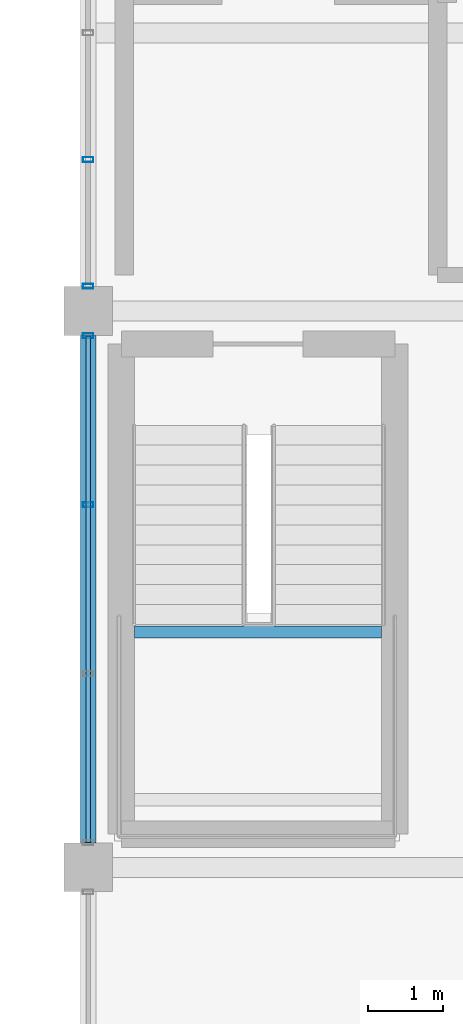
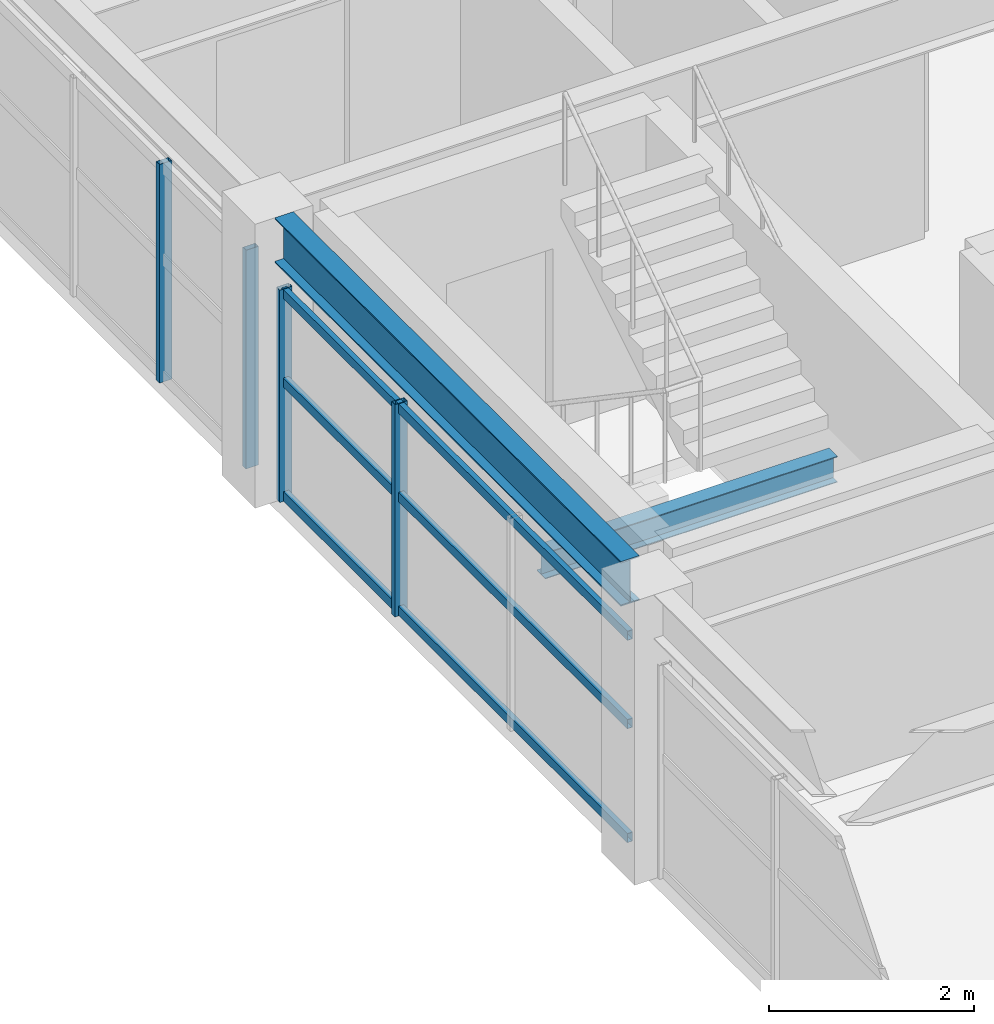
# One storey, part 45 of 93: 7 members, 2 beams, 2 elements without a shape of their own.
"""IFC4 building model written with IfcOpenShell, lengths in metres."""

from ifc_helpers import new_model, si_unit, direction, frame, origin, origin_2d, place, context, subcontext, project, spatial, hollow_rectangle, i_section, extrude, material, material_profile, profile_set, type_object, element, aggregate, save


model = new_model("IFC4")

# Units and contexts
model_context = context("Model", 3, precision=1e-05, world=origin(), true_north=direction((0.0, 1.0)))
body_context = subcontext(model_context, "Body", "Model", "MODEL_VIEW")
ifc_project = project(units=[si_unit("LENGTHUNIT", "METRE"), si_unit("AREAUNIT", "SQUARE_METRE"), si_unit("VOLUMEUNIT", "CUBIC_METRE"), si_unit("PLANEANGLEUNIT", "RADIAN"), si_unit("MASSUNIT", "GRAM", prefix="KILO")], contexts=[model_context])

# Site, building, storey
site_placement = place(None, origin())
site = spatial("IfcSite", under=ifc_project, at=site_placement, CompositionType="ELEMENT")
building_placement = place(site_placement, origin())
building = spatial("IfcBuilding", under=site, at=building_placement, Name="Cimatlan Art Gallery", CompositionType="ELEMENT")
storey_placement = place(building_placement, frame((0.0, 0.0, 13.800048828125)))
storey = spatial("IfcBuildingStorey", under=building, at=storey_placement, Name="L03", CompositionType="ELEMENT", Elevation=13.800048828125)

# Beams
ifc_material_1 = material(Name="Steel ASTM A992 Grade 50", Category="steel")
ifc_material_profile_1 = material_profile(ifc_material_1, i_section(OverallWidth=0.1650390625, OverallDepth=0.31005859375, WebThickness=0.005859375, FlangeThickness=0.009765625, at=origin_2d()), Name="W12X26")
ifc_profile_set_1 = profile_set([ifc_material_profile_1], Name="Steel ASTM A992 Grade 50")
beam_type_1 = type_object("IfcBeamType", Name="BM-STL-W12X26", PredefinedType="JOIST", material=ifc_profile_set_1)
beam_1_placement = place(storey_placement, frame((75.514892578125, 64.030029296875, 1.425048828125), z_axis=(1.0, 0.0, 0.0), x_axis=(0.0, 1.0, 0.0)))
element("IfcBeam", 1, at=beam_1_placement, inside=storey, type_object=beam_type_1, Name="BM-STR-C6-L03-LH2", PredefinedType="JOIST", context=body_context, shape_type="SweptSolid", body=[
    extrude(i_section(OverallWidth=0.1650390625, OverallDepth=0.31005859375, WebThickness=0.005859375, FlangeThickness=0.009765625, at=origin_2d()), origin(), (0.0, 0.0, 1.0), 3.2900390625),
])
ifc_material_profile_2 = material_profile(ifc_material_1, i_section(OverallWidth=0.2099609375, OverallDepth=0.532958984375, WebThickness=0.01025390625, FlangeThickness=0.015625, at=origin_2d()), Name="W21X62")
ifc_profile_set_2 = profile_set([ifc_material_profile_2], Name="Steel ASTM A992 Grade 50")
beam_type_2 = type_object("IfcBeamType", Name="BM-STL-W21X62", PredefinedType="BEAM", material=ifc_profile_set_2)
beam_2_placement = place(storey_placement, frame((74.89990234375, 61.22509765625, 3.113525390625), z_axis=(0.0, 1.0, 0.0), x_axis=(-1.0, 0.0, 0.0)))
element("IfcBeam", 2, at=beam_2_placement, inside=storey, type_object=beam_type_2, Name="BM-Y-L03-09-08", PredefinedType="BEAM", context=body_context, shape_type="SweptSolid", body=[
    extrude(i_section(OverallWidth=0.2099609375, OverallDepth=0.532958984375, WebThickness=0.01025390625, FlangeThickness=0.015625, at=origin_2d()), origin(), (0.0, 0.0, 1.0), 6.75),
])

# Curtain wall, members
ifc_material_2 = material(Name="Anodised bronze unitised curtain wall")
curtain_wall_type_1 = type_object("IfcCurtainWallType", Name="CW-V-06742X02528-B3", PredefinedType="NOTDEFINED", material=ifc_material_2)
curtain_wall_1_placement = place(storey_placement, origin())
curtain_wall_1 = element("IfcCurtainWall", 3, at=curtain_wall_1_placement, inside=storey, type_object=curtain_wall_type_1, Name="CW-L03-09-08-W", PredefinedType="NOTDEFINED")
ifc_material_3 = material(Name="Anodised bronze aluminium 6063-T6", Category="aluminium")
ifc_material_profile_3 = material_profile(ifc_material_3, hollow_rectangle(XDim=0.06494140625, YDim=0.139892578125, WallThickness=0.00390625, at=origin_2d()), Name="ALU65X140X4")
ifc_profile_set_3 = profile_set([ifc_material_profile_3], Name="Anodised bronze aluminium 6063-T6")
member_type_1 = type_object("IfcMemberType", Name="CW-MUL-140", PredefinedType="MULLION", material=ifc_profile_set_3)
member_1_placement = place(storey_placement, frame((74.89990234375, 65.7236328125, 0.0), z_axis=(0.0, 0.0, 1.0), x_axis=(0.0, 1.0, 0.0)))
member_1 = element("IfcMember", 4, at=member_1_placement, type_object=member_type_1, Name="CW-L03-09-08-W-M3", PredefinedType="MULLION", context=body_context, shape_type="SweptSolid", body=[
    extrude(hollow_rectangle(XDim=0.06494140625, YDim=0.139892578125, WallThickness=0.00390625, at=origin_2d()), origin(), (0.0, 0.0, 1.0), 2.52783203125),
])
member_2_placement = place(storey_placement, frame((74.89990234375, 67.970947265625, 0.0), z_axis=(0.0, 0.0, 1.0), x_axis=(0.0, 1.0, 0.0)))
member_2 = element("IfcMember", 5, at=member_2_placement, type_object=member_type_1, Name="CW-L03-09-08-W-M4", PredefinedType="MULLION", context=body_context, shape_type="SweptSolid", body=[
    extrude(hollow_rectangle(XDim=0.06494140625, YDim=0.139892578125, WallThickness=0.00390625, at=origin_2d()), origin(), (0.0, 0.0, 1.0), 2.52783203125),
])

curtain_wall_type_2 = type_object("IfcCurtainWallType", Name="CW-V-06742X02603-B4", PredefinedType="NOTDEFINED", material=ifc_material_2)
curtain_wall_2_placement = place(storey_placement, origin())
curtain_wall_2 = element("IfcCurtainWall", 6, at=curtain_wall_2_placement, inside=storey, type_object=curtain_wall_type_2, Name="CW-L03-09-09-W", PredefinedType="NOTDEFINED")
member_3_placement = place(storey_placement, frame((74.89990234375, 68.62890625, 0.0), z_axis=(0.0, 0.0, 1.0), x_axis=(0.0, 1.0, 0.0)))
member_3 = element("IfcMember", 7, at=member_3_placement, type_object=member_type_1, Name="CW-L03-09-09-W-M1", PredefinedType="MULLION", context=body_context, shape_type="SweptSolid", body=[
    extrude(hollow_rectangle(XDim=0.06494140625, YDim=0.139892578125, WallThickness=0.00390625, at=origin_2d()), origin(), (0.0, 0.0, 1.0), 2.60302734375),
])
member_4_placement = place(storey_placement, frame((74.89990234375, 70.314453125, 0.0), z_axis=(0.0, 0.0, 1.0), x_axis=(0.0, 1.0, 0.0)))
member_4 = element("IfcMember", 8, at=member_4_placement, type_object=member_type_1, Name="CW-L03-09-09-W-M2", PredefinedType="MULLION", context=body_context, shape_type="SweptSolid", body=[
    extrude(hollow_rectangle(XDim=0.06494140625, YDim=0.139892578125, WallThickness=0.00390625, at=origin_2d()), origin(), (0.0, 0.0, 1.0), 2.60302734375),
])
aggregate(curtain_wall_2, [member_3, member_4])

# Member
ifc_material_profile_4 = material_profile(ifc_material_3, hollow_rectangle(XDim=0.06005859375, YDim=0.110107421875, WallThickness=0.00341796875, at=origin_2d()), Name="ALU60X110X3")
ifc_profile_set_4 = profile_set([ifc_material_profile_4], Name="Anodised bronze aluminium 6063-T6")
member_type_2 = type_object("IfcMemberType", Name="CW-TRN-110", PredefinedType="USERDEFINED", material=ifc_profile_set_4)
member_5_placement = place(storey_placement, frame((74.89990234375, 61.22900390625, 0.06005859375), z_axis=(0.0, 1.0, 0.0), x_axis=(-1.0, 0.0, 0.0)))
member_5 = element("IfcMember", 9, at=member_5_placement, type_object=member_type_2, Name="CW-L03-09-08-W-T1", ObjectType="TRANSOM", PredefinedType="USERDEFINED", context=body_context, shape_type="SweptSolid", body=[
    extrude(hollow_rectangle(XDim=0.06005859375, YDim=0.110107421875, WallThickness=0.00341796875, at=origin_2d()), origin(), (0.0, 0.0, 1.0), 6.741943359375),
])

member_6_placement = place(storey_placement, frame((74.89990234375, 61.22900390625, 1.415771484375), z_axis=(0.0, 1.0, 0.0), x_axis=(-1.0, 0.0, 0.0)))
member_6 = element("IfcMember", 10, at=member_6_placement, type_object=member_type_2, Name="CW-L03-09-08-W-T2", ObjectType="TRANSOM", PredefinedType="USERDEFINED", context=body_context, shape_type="SweptSolid", body=[
    extrude(hollow_rectangle(XDim=0.06005859375, YDim=0.110107421875, WallThickness=0.00341796875, at=origin_2d()), origin(), (0.0, 0.0, 1.0), 6.741943359375),
])

member_7_placement = place(storey_placement, frame((74.89990234375, 61.22900390625, 2.468017578125), z_axis=(0.0, 1.0, 0.0), x_axis=(-1.0, 0.0, 0.0)))
member_7 = element("IfcMember", 11, at=member_7_placement, type_object=member_type_2, Name="CW-L03-09-08-W-T3", ObjectType="TRANSOM", PredefinedType="USERDEFINED", context=body_context, shape_type="SweptSolid", body=[
    extrude(hollow_rectangle(XDim=0.06005859375, YDim=0.110107421875, WallThickness=0.00341796875, at=origin_2d()), origin(), (0.0, 0.0, 1.0), 6.741943359375),
])

aggregate(curtain_wall_1, [member_1, member_2, member_5, member_6, member_7])

save(model, "model.ifc")
